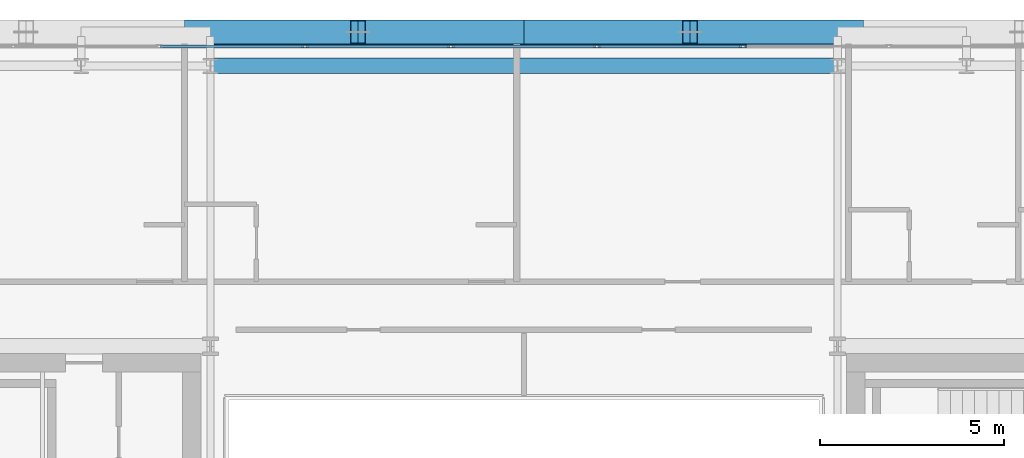
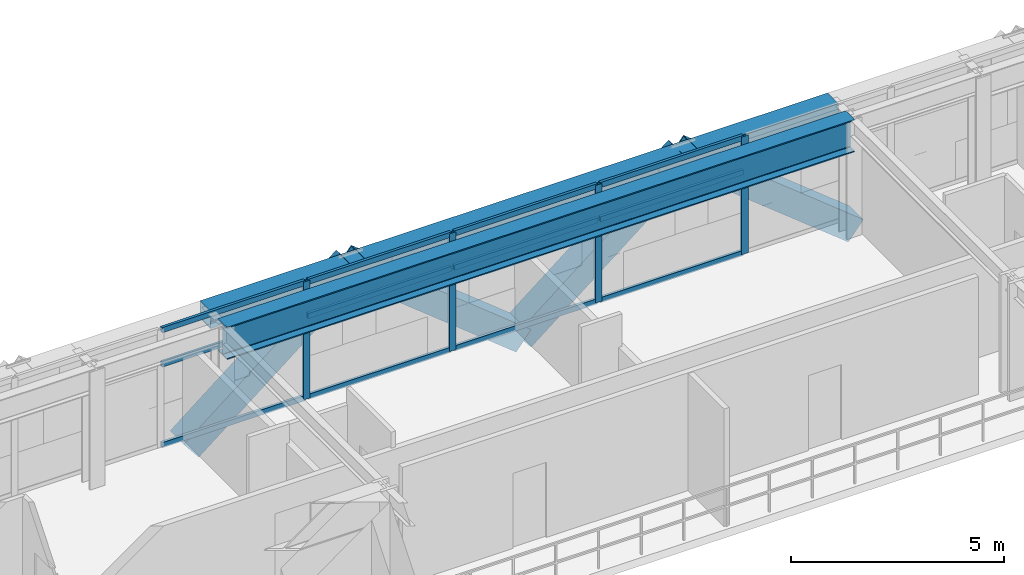
# One storey, part 17 of 31: 20 members, 2 beams, 1 element without a shape of its own.
"""IFC4 building model written with IfcOpenShell, lengths in metres."""

from ifc_helpers import new_model, si_unit, direction, frame, origin, origin_2d, place, context, subcontext, project, spatial, hollow_rectangle, i_section, extrude, source, transform, mapped, material, layer, layer_set, material_profile, profile_set, type_object, element, aggregate, save


model = new_model("IFC4")

# Units and contexts
model_context = context("Model", 3, precision=1e-05, world=origin(), true_north=direction((0.0, 1.0)))
body_context = subcontext(model_context, "Body", "Model", "MODEL_VIEW")
ifc_project = project(units=[si_unit("LENGTHUNIT", "METRE"), si_unit("AREAUNIT", "SQUARE_METRE"), si_unit("VOLUMEUNIT", "CUBIC_METRE"), si_unit("PLANEANGLEUNIT", "RADIAN"), si_unit("MASSUNIT", "GRAM", prefix="KILO")], contexts=[model_context])

# Site, building, storey
site_placement = place(None, origin())
site = spatial("IfcSite", under=ifc_project, at=site_placement, CompositionType="ELEMENT")
building_placement = place(site_placement, origin())
building = spatial("IfcBuilding", under=site, at=building_placement, Name="Ocotamira Hotel", CompositionType="ELEMENT")
storey_placement = place(building_placement, frame((0.0, 0.0, 181.199951171875)))
storey = spatial("IfcBuildingStorey", under=building, at=storey_placement, Name="L45", CompositionType="ELEMENT", Elevation=181.199951171875)

# Beams
ifc_material_1 = material(Name="Steel ASTM A992 Grade 50", Category="steel")
ifc_material_profile_1 = material_profile(ifc_material_1, i_section(OverallWidth=0.41796875, OverallDepth=0.927001953125, WebThickness=0.019287109375, FlangeThickness=0.031982421875, FilletRadius=0.02392578125, at=origin_2d()), Name="W36X231")
ifc_profile_set_1 = profile_set([ifc_material_profile_1], Name="Steel ASTM A992 Grade 50")
beam_type_1 = type_object("IfcBeamType", Name="BM-GIRD-W36X231", PredefinedType="BEAM", material=ifc_profile_set_1)
shared_shape_1 = source(origin(), body_context, "Body", "SweptSolid", [
    extrude(i_section(OverallWidth=0.41796875, OverallDepth=0.927001953125, WebThickness=0.019287109375, FlangeThickness=0.031982421875, FilletRadius=0.02392578125, at=origin_2d()), origin(), (0.0, 0.0, 1.0), 17.0),
])
beam_1_placement = place(storey_placement, frame((23.5, 45.050048828125, 2.906494140625), z_axis=(1.0, 0.0, 0.0), x_axis=(0.0, 1.0, 0.0)))
element("IfcBeam", 1, at=beam_1_placement, inside=storey, type_object=beam_type_1, Name="L45 Girder Y45.05 X23.5-40.5", PredefinedType="BEAM", context=body_context, shape_type="MappedRepresentation", body=[
    mapped(shared_shape_1, transform((0.0, 0.0, 0.0), scale=1.0)),
])
ifc_material_2 = material(Name="Steel ASTM A500 Grade C", Category="steel")
ifc_material_profile_2 = material_profile(ifc_material_2, hollow_rectangle(XDim=0.5, YDim=0.5, WallThickness=0.02001953125, at=origin_2d()), Name="HSS500X500X20")
ifc_profile_set_2 = profile_set([ifc_material_profile_2], Name="Steel ASTM A500 Grade C")
beam_type_2 = type_object("IfcBeamType", Name="BM-SPAN-HSS500", PredefinedType="USERDEFINED", material=ifc_profile_set_2)
shared_shape_2 = source(origin(), body_context, "Body", "SweptSolid", [
    extrude(hollow_rectangle(XDim=0.5, YDim=0.5, WallThickness=0.02001953125, at=origin_2d()), origin(), (0.0, 0.0, 1.0), 17.0),
])
beam_2_placement = place(storey_placement, frame((23.5, 45.85009765625, 3.1201171875), z_axis=(1.0, 0.0, 0.0), x_axis=(0.0, 1.0, 0.0)))
element("IfcBeam", 2, at=beam_2_placement, inside=storey, type_object=beam_type_2, Name="L45 Edge Spandrel N X23.5-40.5", ObjectType="SPANDREL", PredefinedType="USERDEFINED", context=body_context, shape_type="MappedRepresentation", body=[
    mapped(shared_shape_2, transform((0.0, 0.0, 0.0), scale=1.0)),
])

# Members
ifc_material_3 = material(Name="Pale-metal coated steel ASTM A913 Grade 65", Category="steel")
ifc_material_profile_3 = material_profile(ifc_material_3, hollow_rectangle(XDim=0.64990234375, YDim=0.64990234375, WallThickness=0.02197265625, at=origin_2d()), Name="BOX650X650X22")
ifc_profile_set_3 = profile_set([ifc_material_profile_3], Name="Pale-metal coated steel ASTM A913 Grade 65")
member_type_1 = type_object("IfcMemberType", Name="MEM-EXO-BOX650", PredefinedType="BRACE", material=ifc_profile_set_3)
shared_shape_3 = source(origin(), body_context, "Body", "SweptSolid", [
    extrude(hollow_rectangle(XDim=0.64990234375, YDim=0.64990234375, WallThickness=0.02197265625, at=origin_2d()), origin(), (0.0, 0.0, 1.0), 5.762939453125),
])
for number, where, z_axis, x_axis, name in (
    (3, (23.0, 45.969970703125, -0.47998046875), (0.780860543151, 0.0, 0.624705380279), (0.0, 1.0, 0.0), "L45 Exoskeleton Diagrid N1.1"),
    (4, (32.0, 45.969970703125, -0.47998046875), (-0.780860543151, 0.0, 0.624705380279), (0.0, -1.0, 0.0), "L45 Exoskeleton Diagrid N1.2"),
    (5, (32.0, 45.969970703125, -0.47998046875), (0.780860543151, 0.0, 0.624705380279), (0.0, 1.0, 0.0), "L45 Exoskeleton Diagrid N2.1"),
    (6, (41.0, 45.969970703125, -0.47998046875), (-0.780860543151, 0.0, 0.624705380279), (0.0, -1.0, 0.0), "L45 Exoskeleton Diagrid N2.2"),
):
    element("IfcMember", number, at=place(storey_placement, frame(where, z_axis=z_axis, x_axis=x_axis)), inside=storey, type_object=member_type_1, Name=name, PredefinedType="BRACE", context=body_context, shape_type="MappedRepresentation", body=[
        mapped(shared_shape_3, transform((0.0, 0.0, 0.0), scale=1.0)),
    ])

# Curtain wall, members
ifc_material_4 = material(Name="Anodised pale-metal aluminium and solar glass", Category="aluminium")
ifc_layer = layer(ifc_material_4, 0.199951171875)
ifc_layer_set = layer_set([ifc_layer], Name="Anodised pale-metal aluminium and solar glass")
curtain_wall_type = type_object("IfcCurtainWallType", Name="CW-SYS4-Z3", PredefinedType="NOTDEFINED", material=ifc_layer_set)
curtain_wall_placement = place(storey_placement, origin())
curtain_wall = element("IfcCurtainWall", 7, at=curtain_wall_placement, inside=storey, type_object=curtain_wall_type, Name="L45 Curtain Wall CW-4 CW-L45-N", PredefinedType="NOTDEFINED")
ifc_material_5 = material(Name="Anodised pale-metal aluminium 6063-T6", Category="aluminium")
ifc_material_profile_4 = material_profile(ifc_material_5, hollow_rectangle(XDim=0.074951171875, YDim=0.14990234375, WallThickness=0.006103515625, at=origin_2d()), Name="HSS150X75X6")
ifc_profile_set_4 = profile_set([ifc_material_profile_4], Name="Anodised pale-metal aluminium 6063-T6")
member_type_2 = type_object("IfcMemberType", Name="CWT-150X75", PredefinedType="USERDEFINED", material=ifc_profile_set_4)
shared_shape_4 = source(origin(), body_context, "Body", "SweptSolid", [
    extrude(hollow_rectangle(XDim=0.074951171875, YDim=0.14990234375, WallThickness=0.006103515625, at=origin_2d()), origin(), (0.0, 0.0, 1.0), 3.87548828125),
])
member_1_placement = place(storey_placement, frame((22.151123046875, 45.580078125, 0.03759765625), z_axis=(1.0, 0.0, 0.0), x_axis=(0.0, 1.0, 0.0)))
member_1 = element("IfcMember", 8, at=member_1_placement, type_object=member_type_2, Name="CW-4 transom 3.1", ObjectType="TRANSOM", PredefinedType="USERDEFINED", context=body_context, shape_type="MappedRepresentation", body=[
    mapped(shared_shape_4, transform((0.0, 0.0, 0.0), scale=1.0)),
])
member_2_placement = place(storey_placement, frame((22.151123046875, 45.580078125, 2.35009765625), z_axis=(1.0, 0.0, 0.0), x_axis=(0.0, 1.0, 0.0)))
member_2 = element("IfcMember", 9, at=member_2_placement, type_object=member_type_2, Name="CW-4 transom 3.2", ObjectType="TRANSOM", PredefinedType="USERDEFINED", context=body_context, shape_type="MappedRepresentation", body=[
    mapped(shared_shape_4, transform((0.0, 0.0, 0.0), scale=1.0)),
])
member_3_placement = place(storey_placement, frame((22.151123046875, 45.580078125, 3.33251953125), z_axis=(1.0, 0.0, 0.0), x_axis=(0.0, 1.0, 0.0)))
member_3 = element("IfcMember", 10, at=member_3_placement, type_object=member_type_2, Name="CW-4 transom 3.3", ObjectType="TRANSOM", PredefinedType="USERDEFINED", context=body_context, shape_type="MappedRepresentation", body=[
    mapped(shared_shape_4, transform((0.0, 0.0, 0.0), scale=1.0)),
])
member_4_placement = place(storey_placement, frame((26.106689453125, 45.580078125, 0.03759765625), z_axis=(1.0, 0.0, 0.0), x_axis=(0.0, 1.0, 0.0)))
member_4 = element("IfcMember", 11, at=member_4_placement, type_object=member_type_2, Name="CW-4 transom 4.1", ObjectType="TRANSOM", PredefinedType="USERDEFINED", context=body_context, shape_type="MappedRepresentation", body=[
    mapped(shared_shape_4, transform((0.0, 0.0, 0.0), scale=1.0)),
])
member_5_placement = place(storey_placement, frame((26.106689453125, 45.580078125, 2.35009765625), z_axis=(1.0, 0.0, 0.0), x_axis=(0.0, 1.0, 0.0)))
member_5 = element("IfcMember", 12, at=member_5_placement, type_object=member_type_2, Name="CW-4 transom 4.2", ObjectType="TRANSOM", PredefinedType="USERDEFINED", context=body_context, shape_type="MappedRepresentation", body=[
    mapped(shared_shape_4, transform((0.0, 0.0, 0.0), scale=1.0)),
])
member_6_placement = place(storey_placement, frame((26.106689453125, 45.580078125, 3.33251953125), z_axis=(1.0, 0.0, 0.0), x_axis=(0.0, 1.0, 0.0)))
member_6 = element("IfcMember", 13, at=member_6_placement, type_object=member_type_2, Name="CW-4 transom 4.3", ObjectType="TRANSOM", PredefinedType="USERDEFINED", context=body_context, shape_type="MappedRepresentation", body=[
    mapped(shared_shape_4, transform((0.0, 0.0, 0.0), scale=1.0)),
])
member_7_placement = place(storey_placement, frame((30.062255859375, 45.580078125, 0.03759765625), z_axis=(1.0, 0.0, 0.0), x_axis=(0.0, 1.0, 0.0)))
member_7 = element("IfcMember", 14, at=member_7_placement, type_object=member_type_2, Name="CW-4 transom 5.1", ObjectType="TRANSOM", PredefinedType="USERDEFINED", context=body_context, shape_type="MappedRepresentation", body=[
    mapped(shared_shape_4, transform((0.0, 0.0, 0.0), scale=1.0)),
])
member_8_placement = place(storey_placement, frame((30.062255859375, 45.580078125, 2.35009765625), z_axis=(1.0, 0.0, 0.0), x_axis=(0.0, 1.0, 0.0)))
member_8 = element("IfcMember", 15, at=member_8_placement, type_object=member_type_2, Name="CW-4 transom 5.2", ObjectType="TRANSOM", PredefinedType="USERDEFINED", context=body_context, shape_type="MappedRepresentation", body=[
    mapped(shared_shape_4, transform((0.0, 0.0, 0.0), scale=1.0)),
])
member_9_placement = place(storey_placement, frame((30.062255859375, 45.580078125, 3.33251953125), z_axis=(1.0, 0.0, 0.0), x_axis=(0.0, 1.0, 0.0)))
member_9 = element("IfcMember", 16, at=member_9_placement, type_object=member_type_2, Name="CW-4 transom 5.3", ObjectType="TRANSOM", PredefinedType="USERDEFINED", context=body_context, shape_type="MappedRepresentation", body=[
    mapped(shared_shape_4, transform((0.0, 0.0, 0.0), scale=1.0)),
])
member_10_placement = place(storey_placement, frame((34.017822265625, 45.580078125, 0.03759765625), z_axis=(1.0, 0.0, 0.0), x_axis=(0.0, 1.0, 0.0)))
member_10 = element("IfcMember", 17, at=member_10_placement, type_object=member_type_2, Name="CW-4 transom 6.1", ObjectType="TRANSOM", PredefinedType="USERDEFINED", context=body_context, shape_type="MappedRepresentation", body=[
    mapped(shared_shape_4, transform((0.0, 0.0, 0.0), scale=1.0)),
])
member_11_placement = place(storey_placement, frame((34.017822265625, 45.580078125, 2.35009765625), z_axis=(1.0, 0.0, 0.0), x_axis=(0.0, 1.0, 0.0)))
member_11 = element("IfcMember", 18, at=member_11_placement, type_object=member_type_2, Name="CW-4 transom 6.2", ObjectType="TRANSOM", PredefinedType="USERDEFINED", context=body_context, shape_type="MappedRepresentation", body=[
    mapped(shared_shape_4, transform((0.0, 0.0, 0.0), scale=1.0)),
])
member_12_placement = place(storey_placement, frame((34.017822265625, 45.580078125, 3.33251953125), z_axis=(1.0, 0.0, 0.0), x_axis=(0.0, 1.0, 0.0)))
member_12 = element("IfcMember", 19, at=member_12_placement, type_object=member_type_2, Name="CW-4 transom 6.3", ObjectType="TRANSOM", PredefinedType="USERDEFINED", context=body_context, shape_type="MappedRepresentation", body=[
    mapped(shared_shape_4, transform((0.0, 0.0, 0.0), scale=1.0)),
])
ifc_material_profile_5 = material_profile(ifc_material_5, hollow_rectangle(XDim=0.080078125, YDim=0.179931640625, WallThickness=0.006103515625, at=origin_2d()), Name="HSS180X80X6")
ifc_profile_set_5 = profile_set([ifc_material_profile_5], Name="Anodised pale-metal aluminium 6063-T6")
member_type_3 = type_object("IfcMemberType", Name="CWM-180X75", PredefinedType="MULLION", material=ifc_profile_set_5)
shared_shape_5 = source(origin(), body_context, "Body", "SweptSolid", [
    extrude(hollow_rectangle(XDim=0.080078125, YDim=0.179931640625, WallThickness=0.006103515625, at=origin_2d()), origin(), (0.0, 0.0, 1.0), 3.3701171875),
])
member_13_placement = place(storey_placement, frame((26.066650390625, 45.580078125, 0.0), z_axis=(0.0, 0.0, 1.0), x_axis=(0.0, 1.0, 0.0)))
member_13 = element("IfcMember", 20, at=member_13_placement, type_object=member_type_3, Name="CW-4 mullion 4", PredefinedType="MULLION", context=body_context, shape_type="MappedRepresentation", body=[
    mapped(shared_shape_5, transform((0.0, 0.0, 0.0), scale=1.0)),
])
member_14_placement = place(storey_placement, frame((30.022216796875, 45.580078125, 0.0), z_axis=(0.0, 0.0, 1.0), x_axis=(0.0, 1.0, 0.0)))
member_14 = element("IfcMember", 21, at=member_14_placement, type_object=member_type_3, Name="CW-4 mullion 5", PredefinedType="MULLION", context=body_context, shape_type="MappedRepresentation", body=[
    mapped(shared_shape_5, transform((0.0, 0.0, 0.0), scale=1.0)),
])
member_15_placement = place(storey_placement, frame((33.977783203125, 45.580078125, 0.0), z_axis=(0.0, 0.0, 1.0), x_axis=(0.0, 1.0, 0.0)))
member_15 = element("IfcMember", 22, at=member_15_placement, type_object=member_type_3, Name="CW-4 mullion 6", PredefinedType="MULLION", context=body_context, shape_type="MappedRepresentation", body=[
    mapped(shared_shape_5, transform((0.0, 0.0, 0.0), scale=1.0)),
])
member_16_placement = place(storey_placement, frame((37.933349609375, 45.580078125, 0.0), z_axis=(0.0, 0.0, 1.0), x_axis=(0.0, 1.0, 0.0)))
member_16 = element("IfcMember", 23, at=member_16_placement, type_object=member_type_3, Name="CW-4 mullion 7", PredefinedType="MULLION", context=body_context, shape_type="MappedRepresentation", body=[
    mapped(shared_shape_5, transform((0.0, 0.0, 0.0), scale=1.0)),
])
aggregate(curtain_wall, [member_13, member_14, member_15, member_16, member_1, member_2, member_3, member_4, member_5, member_6, member_7, member_8, member_9, member_10, member_11, member_12])

save(model, "model.ifc")
